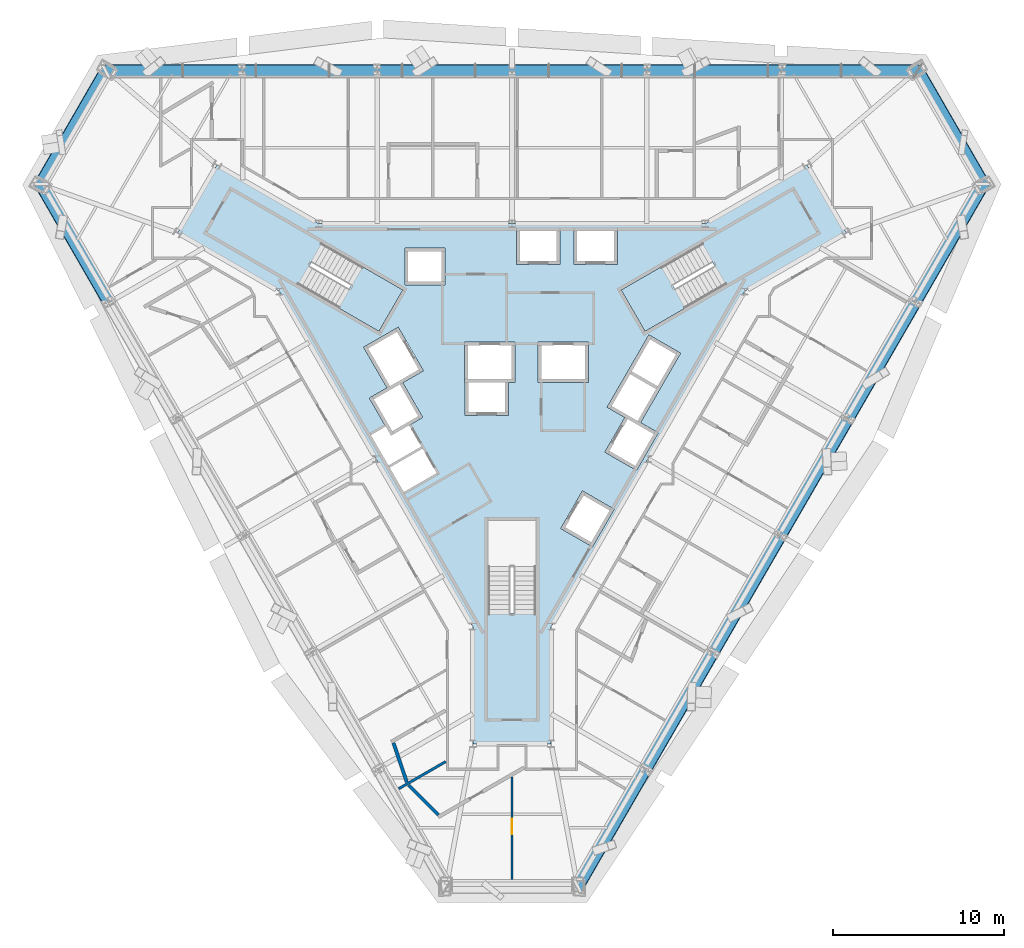
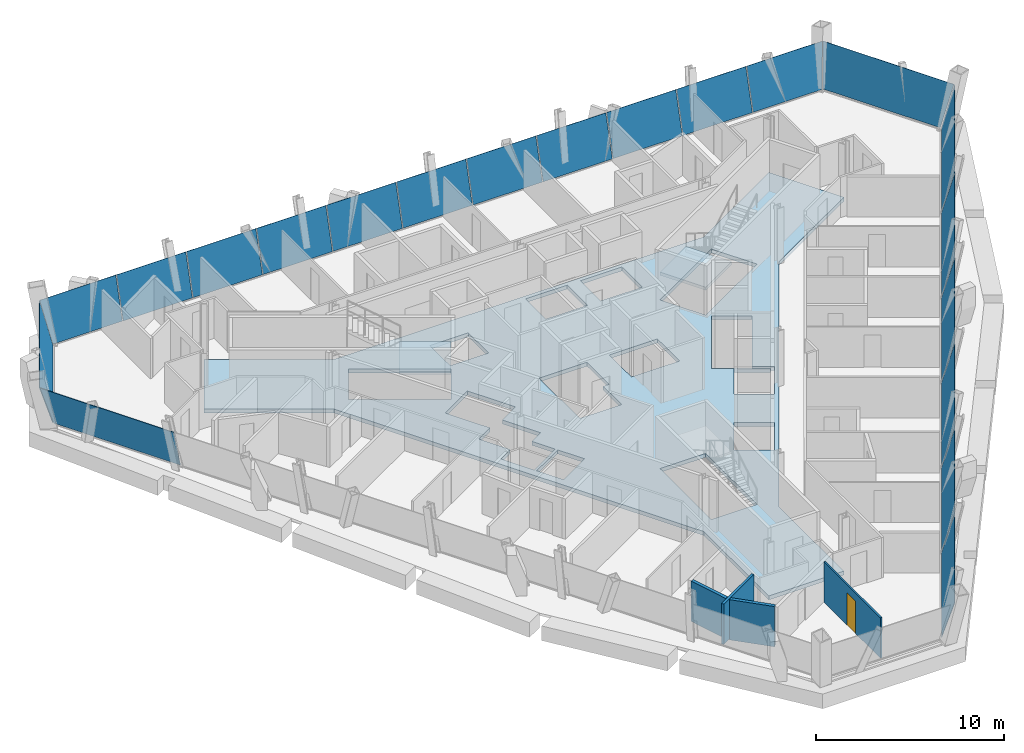
# One storey, part 6 of 13: 20 plates, 4 walls, 3 slabs, 1 door, 1 opening, 7 elements without a shape of their own.
"""IFC4 building model written with IfcOpenShell, lengths in metres."""

from ifc_helpers import new_model, si_unit, direction, frame, frame_2d, origin, place, context, subcontext, project, spatial, polyline, rectangle, outline, extrude, material, layer, layer_set, type_object, element, fill, aggregate, save


model = new_model("IFC4")

# Units and contexts
model_context = context("Model", 3, precision=1e-05, world=origin(), true_north=direction((0.0, 1.0)))
body_context = subcontext(model_context, "Body", "Model", "MODEL_VIEW")
ifc_project = project(units=[si_unit("LENGTHUNIT", "METRE"), si_unit("AREAUNIT", "SQUARE_METRE"), si_unit("VOLUMEUNIT", "CUBIC_METRE"), si_unit("PLANEANGLEUNIT", "RADIAN"), si_unit("MASSUNIT", "GRAM", prefix="KILO")], contexts=[model_context])

# Site, building, storey
site_placement = place(None, origin())
site = spatial("IfcSite", under=ifc_project, at=site_placement, CompositionType="ELEMENT")
building_placement = place(site_placement, origin())
building = spatial("IfcBuilding", under=site, at=building_placement, Name="Verrane Prism Tower", CompositionType="ELEMENT")
storey_placement = place(building_placement, frame((0.0, 0.0, 100.0)))
storey = spatial("IfcBuildingStorey", under=building, at=storey_placement, Name="L23", CompositionType="ELEMENT", Elevation=100.0)

# Slab
ifc_material_1 = material(Name="Concrete C40/50", Category="concrete")
ifc_layer_1 = layer(ifc_material_1, 0.25)
ifc_layer_set_1 = layer_set([ifc_layer_1], Name="Core floor slab 250 concrete C40/50")
slab_type_1 = type_object("IfcSlabType", Name="Core floor slab 250 concrete C40/50", PredefinedType="FLOOR", material=ifc_layer_set_1)
slab_1_placement = place(storey_placement, frame((0.0, 0.0, -0.25)))
element("IfcSlab", 1, at=slab_1_placement, inside=storey, type_object=slab_type_1, Name="Core floor L23", PredefinedType="FLOOR", context=body_context, shape_type="SweptSolid", body=[
    extrude(outline(polyline([(13.6298828125, 5.219970703125), (19.60009765625, 8.659912109375), (17.300048828125, 12.639892578125), (11.330078125, 9.199951171875), (0.0, 9.199951171875), (-11.330078125, 9.199951171875), (-17.300048828125, 12.639892578125), (-19.60009765625, 8.659912109375), (-13.6298828125, 5.219970703125), (-7.969970703125, -4.60009765625), (-2.300048828125, -14.419921875), (-2.300048828125, -21.300048828125), (2.300048828125, -21.300048828125), (2.300048828125, -14.419921875), (7.969970703125, -4.60009765625), (13.6298828125, 5.219970703125)]), holes=[polyline([(1.39990234375, -8.199951171875), (1.39990234375, -13.639892578125), (-1.39990234375, -13.639892578125), (-1.39990234375, -8.199951171875), (1.39990234375, -8.199951171875)]), polyline([(-4.4169921875, -5.419921875), (-6.343994140625, -6.531982421875), (-7.1689453125, -5.10302734375), (-5.241943359375, -3.989990234375), (-4.4169921875, -5.419921875)]), polyline([(0.1650390625, 2.25), (0.1650390625, -0.10009765625), (-0.205078125, -0.10009765625), (-0.205078125, -2.050048828125), (-2.7548828125, -2.050048828125), (-2.7548828125, -0.10009765625), (-2.784912109375, -0.10009765625), (-2.784912109375, 2.25), (0.1650390625, 2.25)]), polyline([(-12.512939453125, 5.60791015625), (-11.113037109375, 8.031982421875), (-6.40087890625, 5.31201171875), (-7.801025390625, 2.887939453125), (-12.512939453125, 5.60791015625)]), polyline([(-6.284912109375, 5.610107421875), (-6.284912109375, 7.760009765625), (-3.93505859375, 7.760009765625), (-3.93505859375, 5.610107421875), (-6.284912109375, 5.610107421875)]), polyline([(4.717041015625, -9.75), (2.85498046875, -8.675048828125), (4.1298828125, -6.466064453125), (5.991943359375, -7.541015625), (4.717041015625, -9.75)]), polyline([(8.303955078125, -3.136962890625), (5.575927734375, -1.56201171875), (8.02587890625, 2.680908203125), (9.887939453125, 1.60595703125), (7.5380859375, -2.464111328125), (8.576904296875, -3.06396484375), (7.302001953125, -5.27197265625), (5.43994140625, -4.197021484375), (6.614990234375, -2.162109375), (8.303955078125, -3.136962890625)]), polyline([(1.52490234375, -0.10009765625), (1.52490234375, 2.25), (4.47509765625, 2.25), (4.47509765625, -0.10009765625), (1.52490234375, -0.10009765625)]), polyline([(6.40087890625, 5.31201171875), (11.113037109375, 8.031982421875), (12.512939453125, 5.60791015625), (7.801025390625, 2.887939453125), (6.40087890625, 5.31201171875)]), polyline([(0.264892578125, 6.81005859375), (0.264892578125, 8.9599609375), (2.81494140625, 8.9599609375), (2.81494140625, 6.81005859375), (0.264892578125, 6.81005859375)]), polyline([(3.625, 6.81005859375), (3.625, 8.9599609375), (6.175048828125, 8.9599609375), (6.175048828125, 6.81005859375), (3.625, 6.81005859375)]), polyline([(-5.23095703125, -2.159912109375), (-6.031982421875, -2.622314453125), (-5.31689453125, -3.860107421875), (-7.243896484375, -4.972900390625), (-8.26904296875, -3.197998046875), (-7.40283203125, -2.6982421875), (-8.367919921875, -1.02587890625), (-7.3291015625, -0.426025390625), (-8.7041015625, 1.955078125), (-6.66796875, 3.1298828125), (-5.193115234375, 0.574951171875), (-6.406005859375, -0.125), (-5.23095703125, -2.159912109375)])]), origin(), (0.0, 0.0, 1.0), 0.25),
])

# Curtain wall, plates
ifc_material_2 = material(Name="Aluminium framed insulated glazing", Category="aluminium")
curtain_wall_type_1 = type_object("IfcCurtainWallType", Name="Curtain wall CW-C 4200 module", PredefinedType="NOTDEFINED", material=ifc_material_2)
curtain_wall_1_placement = place(storey_placement, origin())
curtain_wall_1 = element("IfcCurtainWall", 2, at=curtain_wall_1_placement, inside=storey, type_object=curtain_wall_type_1, Name="Glazed curtain wall north face L23", PredefinedType="NOTDEFINED")
ifc_material_3 = material(Name="Low-iron insulating glass unit", Category="glass")
ifc_layer_2 = layer(ifc_material_3, 0.02392578125)
ifc_layer_set_2 = layer_set([ifc_layer_2], Name="Glazing panel IGU 24")
plate_type_1 = type_object("IfcPlateType", Name="Glazing panel IGU 24", PredefinedType="CURTAIN_PANEL", material=ifc_layer_set_2)
plate_1_placement = place(storey_placement, frame((23.539794921875, 17.81103515625, 0.050048828125), z_axis=(0.0, -0.964666200361, 0.263475087781), x_axis=(-1.0, 0.0, 0.0)))
plate_1 = element("IfcPlate", 3, at=plate_1_placement, type_object=plate_type_1, Name="CW21.2 panel 1", PredefinedType="CURTAIN_PANEL", context=body_context, shape_type="SweptSolid", body=[
    extrude(outline(polyline([(0.0, 0.0), (4.214111328125, 0.0), (4.214111328125, -2.656612349086136), (-0.42919921875, -2.656612349086136), (0.0, 0.0)])), origin(), (0.0, 0.0, -1.0), 0.02392578125),
])
plate_2_placement = place(storey_placement, frame((19.275634765625, 17.81103515625, 0.050048828125), z_axis=(0.0, -0.964666200361, 0.263475087781), x_axis=(-1.0, 0.0, 0.0)))
plate_2 = element("IfcPlate", 4, at=plate_2_placement, type_object=plate_type_1, Name="CW21.2 panel 2", PredefinedType="CURTAIN_PANEL", context=body_context, shape_type="SweptSolid", body=[
    extrude(outline(polyline([(0.0, 0.0), (4.239013671875, 0.0), (4.239013671875, -2.656612349086136), (0.0, -2.656612349086136), (0.0, 0.0)])), origin(), (0.0, 0.0, -1.0), 0.02392578125),
])
plate_3_placement = place(storey_placement, frame((14.986572265625, 17.81103515625, 0.050048828125), z_axis=(0.0, -0.964666200361, 0.263475087781), x_axis=(-1.0, 0.0, 0.0)))
plate_3 = element("IfcPlate", 5, at=plate_3_placement, type_object=plate_type_1, Name="CW21.2 panel 3", PredefinedType="CURTAIN_PANEL", context=body_context, shape_type="SweptSolid", body=[
    extrude(outline(polyline([(0.0, 0.0), (4.239013671875, 0.0), (4.239013671875, -2.656612349086136), (0.0, -2.656612349086136), (0.0, 0.0)])), origin(), (0.0, 0.0, -1.0), 0.02392578125),
])
plate_4_placement = place(storey_placement, frame((10.697509765625, 17.81103515625, 0.050048828125), z_axis=(0.0, -0.964666200361, 0.263475087781), x_axis=(-1.0, 0.0, 0.0)))
plate_4 = element("IfcPlate", 6, at=plate_4_placement, type_object=plate_type_1, Name="CW21.2 panel 4", PredefinedType="CURTAIN_PANEL", context=body_context, shape_type="SweptSolid", body=[
    extrude(outline(polyline([(0.0, 0.0), (4.239013671875, 0.0), (4.239013671875, -2.656612349086136), (0.0, -2.656612349086136), (0.0, 0.0)])), origin(), (0.0, 0.0, -1.0), 0.02392578125),
])
plate_5_placement = place(storey_placement, frame((6.408447265625, 17.81103515625, 0.050048828125), z_axis=(0.0, -0.964666200361, 0.263475087781), x_axis=(-1.0, 0.0, 0.0)))
plate_5 = element("IfcPlate", 7, at=plate_5_placement, type_object=plate_type_1, Name="CW21.2 panel 5", PredefinedType="CURTAIN_PANEL", context=body_context, shape_type="SweptSolid", body=[
    extrude(outline(polyline([(0.0, 0.0), (4.239013671875, 0.0), (4.239013671875, -2.656612349086136), (0.0, -2.656612349086136), (0.0, 0.0)])), origin(), (0.0, 0.0, -1.0), 0.02392578125),
])
plate_6_placement = place(storey_placement, frame((2.11962890625, 17.81103515625, 0.050048828125), z_axis=(0.0, -0.964666200361, 0.263475087781), x_axis=(-1.0, 0.0, 0.0)))
plate_6 = element("IfcPlate", 8, at=plate_6_placement, type_object=plate_type_1, Name="CW21.2 panel 6", PredefinedType="CURTAIN_PANEL", context=body_context, shape_type="SweptSolid", body=[
    extrude(outline(polyline([(0.0, 0.0), (4.2392578125, 0.0), (4.2392578125, -2.656612349086136), (0.0, -2.656612349086136), (0.0, 0.0)])), origin(), (0.0, 0.0, -1.0), 0.02392578125),
])
plate_7_placement = place(storey_placement, frame((-2.16943359375, 17.81103515625, 0.050048828125), z_axis=(0.0, -0.964666200361, 0.263475087781), x_axis=(-1.0, 0.0, 0.0)))
plate_7 = element("IfcPlate", 9, at=plate_7_placement, type_object=plate_type_1, Name="CW21.2 panel 7", PredefinedType="CURTAIN_PANEL", context=body_context, shape_type="SweptSolid", body=[
    extrude(outline(polyline([(0.0, 0.0), (4.239013671875, 0.0), (4.239013671875, -2.656612349086136), (0.0, -2.656612349086136), (0.0, 0.0)])), origin(), (0.0, 0.0, -1.0), 0.02392578125),
])
plate_8_placement = place(storey_placement, frame((-6.45849609375, 17.81103515625, 0.050048828125), z_axis=(0.0, -0.964666200361, 0.263475087781), x_axis=(-1.0, 0.0, 0.0)))
plate_8 = element("IfcPlate", 10, at=plate_8_placement, type_object=plate_type_1, Name="CW21.2 panel 8", PredefinedType="CURTAIN_PANEL", context=body_context, shape_type="SweptSolid", body=[
    extrude(outline(polyline([(0.0, 0.0), (4.239013671875, 0.0), (4.239013671875, -2.656612349086136), (0.0, -2.656612349086136), (0.0, 0.0)])), origin(), (0.0, 0.0, -1.0), 0.02392578125),
])
plate_9_placement = place(storey_placement, frame((-10.74755859375, 17.81103515625, 0.050048828125), z_axis=(0.0, -0.964666200361, 0.263475087781), x_axis=(-1.0, 0.0, 0.0)))
plate_9 = element("IfcPlate", 11, at=plate_9_placement, type_object=plate_type_1, Name="CW21.2 panel 9", PredefinedType="CURTAIN_PANEL", context=body_context, shape_type="SweptSolid", body=[
    extrude(outline(polyline([(0.0, 0.0), (4.239013671875, 0.0), (4.239013671875, -2.656612349086136), (0.0, -2.656612349086136), (0.0, 0.0)])), origin(), (0.0, 0.0, -1.0), 0.02392578125),
])
plate_10_placement = place(storey_placement, frame((-15.03662109375, 17.81103515625, 0.050048828125), z_axis=(0.0, -0.964666200361, 0.263475087781), x_axis=(-1.0, 0.0, 0.0)))
plate_10 = element("IfcPlate", 12, at=plate_10_placement, type_object=plate_type_1, Name="CW21.2 panel 10", PredefinedType="CURTAIN_PANEL", context=body_context, shape_type="SweptSolid", body=[
    extrude(outline(polyline([(0.0, 0.0), (4.239013671875, 0.0), (4.239013671875, -2.656612349086136), (0.0, -2.656612349086136), (0.0, 0.0)])), origin(), (0.0, 0.0, -1.0), 0.02392578125),
])
plate_11_placement = place(storey_placement, frame((-19.32568359375, 17.81103515625, 0.050048828125), z_axis=(0.0, -0.964666200361, 0.263475087781), x_axis=(-1.0, 0.0, 0.0)))
plate_11 = element("IfcPlate", 13, at=plate_11_placement, type_object=plate_type_1, Name="CW21.2 panel 11", PredefinedType="CURTAIN_PANEL", context=body_context, shape_type="SweptSolid", body=[
    extrude(outline(polyline([(0.0, 0.0), (4.263916015625, 0.0), (4.66845703125, -2.656612349086135), (0.0, -2.656612349086135), (0.0, 0.0)])), origin(), (0.0, 0.0, -1.0), 0.02392578125),
])
aggregate(curtain_wall_1, [plate_1, plate_2, plate_3, plate_4, plate_5, plate_6, plate_7, plate_8, plate_9, plate_10, plate_11])

# Curtain wall, plate
ifc_material_4 = material(Name="Aluminium framed insulated glazing", Category="aluminium")
curtain_wall_type_2 = type_object("IfcCurtainWallType", Name="Curtain wall CW-A 8400 module", PredefinedType="NOTDEFINED", material=ifc_material_4)
curtain_wall_2_placement = place(storey_placement, origin())
curtain_wall_2 = element("IfcCurtainWall", 14, at=curtain_wall_2_placement, inside=storey, type_object=curtain_wall_type_2, Name="Glazed curtain wall north-east corner L23", PredefinedType="NOTDEFINED")
ifc_material_5 = material(Name="Low-iron insulating glass unit", Category="glass")
ifc_layer_3 = layer(ifc_material_5, 0.031982421875)
ifc_layer_set_3 = layer_set([ifc_layer_3], Name="Glazing panel IGU 32")
plate_type_2 = type_object("IfcPlateType", Name="Glazing panel IGU 32", PredefinedType="CURTAIN_PANEL", material=ifc_layer_set_3)
plate_12_placement = place(storey_placement, frame((27.1845703125, 11.58447265625, 0.070068359375), z_axis=(-0.83494639282, -0.482051310998, 0.265501515405), x_axis=(-0.499996694572, 0.86602731216, -3.14638e-06)))
plate_12 = element("IfcPlate", 15, at=plate_12_placement, type_object=plate_type_2, Name="CW21.1 panel 1", PredefinedType="CURTAIN_PANEL", context=body_context, shape_type="SweptSolid", body=[
    extrude(outline(polyline([(0.0, 0.0), (7.189846654517289, 1.1102230246251565e-16), (7.593746315531469, -2.6374037559740677), (-0.4391867612275206, -2.637354076352238), (0.0, 0.0)])), origin(), (0.0, 0.0, -1.0), 0.031982421875),
])
aggregate(curtain_wall_2, [plate_12])

curtain_wall_3_placement = place(storey_placement, origin())
curtain_wall_3 = element("IfcCurtainWall", 16, at=curtain_wall_3_placement, inside=storey, type_object=curtain_wall_type_2, Name="Glazed curtain wall north-west corner L23", PredefinedType="NOTDEFINED")
plate_13_placement = place(storey_placement, frame((-23.624755859375, 17.75048828125, 0.070068359375), z_axis=(0.83495024378, -0.482029145367, 0.265529646986), x_axis=(-0.499976227155, -0.866039128602, -3.119306e-06)))
plate_13 = element("IfcPlate", 17, at=plate_13_placement, type_object=plate_type_2, Name="CW21.3 panel 1", PredefinedType="CURTAIN_PANEL", context=body_context, shape_type="SweptSolid", body=[
    extrude(outline(polyline([(0.0, 0.0), (7.189936021394109, 0.0), (7.593994306950632, -2.637424737505123), (-0.43893876981881114, -2.6373754846807103), (0.0, 0.0)])), origin(), (0.0, 0.0, -1.0), 0.031982421875),
])
aggregate(curtain_wall_3, [plate_13])

curtain_wall_4_placement = place(storey_placement, origin())
curtain_wall_4 = element("IfcCurtainWall", 18, at=curtain_wall_4_placement, inside=storey, type_object=curtain_wall_type_2, Name="Glazed curtain wall south-west face L23", PredefinedType="NOTDEFINED")
plate_14_placement = place(storey_placement, frame((-27.1845703125, 11.463134765625, 0.070068359375), z_axis=(0.834957811545, 0.482071262137, 0.265429371323), x_axis=(0.500006422609, -0.866021695658, -3.63625e-07)))
plate_14 = element("IfcPlate", 19, at=plate_14_placement, type_object=plate_type_2, Name="CW21.4 panel 1", PredefinedType="CURTAIN_PANEL", context=body_context, shape_type="SweptSolid", body=[
    extrude(outline(polyline([(0.0, 0.0), (7.758183377278029, -1.1102230246251565e-16), (7.758270139260014, -2.637327560462486), (-0.43939898115235565, -2.6373215426555383), (0.0, 0.0)])), origin(), (0.0, 0.0, -1.0), 0.031982421875),
])
aggregate(curtain_wall_4, [plate_14])

# Curtain wall, plates
curtain_wall_5_placement = place(storey_placement, origin())
curtain_wall_5 = element("IfcCurtainWall", 20, at=curtain_wall_5_placement, inside=storey, type_object=curtain_wall_type_2, Name="Glazed curtain wall south-east face L23", PredefinedType="NOTDEFINED")
plate_15_placement = place(storey_placement, frame((3.664794921875, -29.274169921875, 0.070068359375), z_axis=(-0.83496396569, 0.48206006302, 0.265430351768), x_axis=(0.499995755326, 0.866027854426, 3.754709e-06)))
plate_15 = element("IfcPlate", 21, at=plate_15_placement, type_object=plate_type_2, Name="CW21.6 panel 1", PredefinedType="CURTAIN_PANEL", context=body_context, shape_type="SweptSolid", body=[
    extrude(outline(polyline([(0.0, 0.0), (7.758183376509096, -1.1102230246251565e-16), (7.758308047010919, -2.6372951588156166), (-0.43923900359201745, -2.6373572968274215), (0.0, 0.0)])), origin(), (0.0, 0.0, -1.0), 0.031982421875),
])
plate_16_placement = place(storey_placement, frame((7.5791015625, -22.49462890625, 0.070068359375), z_axis=(-0.834972858607, 0.482054905076, 0.265411744056), x_axis=(0.499987331538, 0.866032717799, 2.004095e-06)))
plate_16 = element("IfcPlate", 22, at=plate_16_placement, type_object=plate_type_2, Name="CW21.6 panel 2", PredefinedType="CURTAIN_PANEL", context=body_context, shape_type="SweptSolid", body=[
    extrude(outline(polyline([(0.0, 0.0), (7.793067935099807, 0.0), (7.793181346293291, -2.637295160950753), (-9.802257551058017e-05, -2.6373275594329395), (0.0, 0.0)])), origin(), (0.0, 0.0, -1.0), 0.031982421875),
])
plate_17_placement = place(storey_placement, frame((11.5107421875, -15.68505859375, 0.070068359375), z_axis=(-0.834972858607, 0.482054905076, 0.265411744056), x_axis=(0.499986375975, 0.866033269474, -2.00404e-06)))
plate_17 = element("IfcPlate", 23, at=plate_17_placement, type_object=plate_type_2, Name="CW21.6 panel 3", PredefinedType="CURTAIN_PANEL", context=body_context, shape_type="SweptSolid", body=[
    extrude(outline(polyline([(0.0, 0.0), (7.793279368936145, 1.1102230246251565e-16), (7.7931703823741145, -2.6373275590026464), (0.00010244734164964552, -2.63729516139944), (0.0, 0.0)])), origin(), (0.0, 0.0, -1.0), 0.031982421875),
])
plate_18_placement = place(storey_placement, frame((15.442138671875, -8.875244140625, 0.070068359375), z_axis=(-0.83495978007, 0.482077557912, 0.265411743944), x_axis=(0.500009871451, 0.866019704423, -2.004103e-06)))
plate_18 = element("IfcPlate", 24, at=plate_18_placement, type_object=plate_type_2, Name="CW21.6 panel 4", PredefinedType="CURTAIN_PANEL", context=body_context, shape_type="SweptSolid", body=[
    extrude(outline(polyline([(0.0, 0.0), (7.793401437251344, 0.0), (7.793311442606809, -2.637327559719036), (0.00012143594736545225, -2.6372951605933945), (0.0, 0.0)])), origin(), (0.0, 0.0, -1.0), 0.031982421875),
])
plate_19_placement = place(storey_placement, frame((19.373779296875, -2.0654296875, 0.070068359375), z_axis=(-0.834958426669, 0.482068057445, 0.26543325663), x_axis=(0.500003566721, 0.866023344527, 0.0)))
plate_19 = element("IfcPlate", 25, at=plate_19_placement, type_object=plate_type_2, Name="CW21.6 panel 5", PredefinedType="CURTAIN_PANEL", context=body_context, shape_type="SweptSolid", body=[
    extrude(outline(polyline([(0.0, 0.0), (7.79340143747352, -2.220446049250313e-16), (7.793311442384637, -2.637327560375559), (-8.999508888374308e-05, -2.637327560375559), (0.0, 0.0)])), origin(), (0.0, 0.0, -1.0), 0.031982421875),
])
plate_20_placement = place(storey_placement, frame((23.305419921875, 4.744384765625, 0.070068359375), z_axis=(-0.834951186936, 0.482070691964, 0.265451244833), x_axis=(0.500008469825, 0.866020513672, -1.668564e-06)))
plate_20 = element("IfcPlate", 26, at=plate_20_placement, type_object=plate_type_2, Name="CW21.6 panel 6", PredefinedType="CURTAIN_PANEL", context=body_context, shape_type="SweptSolid", body=[
    extrude(outline(polyline([(0.0, 0.0), (7.828074563445972, 1.1102230246251565e-16), (8.232585475183217, -2.6373553554895253), (-9.027444538306797e-05, -2.637327559906991), (0.0, 0.0)])), origin(), (0.0, 0.0, -1.0), 0.031982421875),
])
aggregate(curtain_wall_5, [plate_15, plate_16, plate_17, plate_18, plate_19, plate_20])

# Stair, slab
ifc_material_6 = material(Name="Concrete C40/50", Category="concrete")
stair_type = type_object("IfcStairType", Name="Exit stair 1300 dog-leg precast concrete C40/50", PredefinedType="HALF_TURN_STAIR", material=ifc_material_6)
stair_1_placement = place(storey_placement, origin())
stair_1 = element("IfcStair", 27, at=stair_1_placement, inside=storey, type_object=stair_type, Name="Stair 1 L23", PredefinedType="HALF_TURN_STAIR")
ifc_material_7 = material(Name="Concrete C40/50", Category="concrete")
ifc_layer_4 = layer(ifc_material_7, 0.199951171875)
ifc_layer_set_4 = layer_set([ifc_layer_4], Name="Stair landing 200 precast concrete C40/50")
slab_type_2 = type_object("IfcSlabType", Name="Stair landing 200 precast concrete C40/50", PredefinedType="LANDING", material=ifc_layer_set_4)
slab_2_placement = place(storey_placement, frame((0.0, 0.0, 1.60009765625)))
slab_2 = element("IfcSlab", 28, at=slab_2_placement, type_object=slab_type_2, Name="Stair 1 landing 1", PredefinedType="LANDING", context=body_context, shape_type="SweptSolid", body=[
    extrude(outline(polyline([(8.791748046875, 6.6923828125), (6.4013671875, 5.3125), (7.801513671875, 2.887451171875), (10.191650390625, 4.267578125), (8.791748046875, 6.6923828125)])), origin(), (0.0, 0.0, 1.0), 0.199951171875),
])
aggregate(stair_1, [slab_2])

stair_2_placement = place(storey_placement, origin())
stair_2 = element("IfcStair", 29, at=stair_2_placement, inside=storey, type_object=stair_type, Name="Stair 2 L23", PredefinedType="HALF_TURN_STAIR")
slab_3_placement = place(storey_placement, frame((0.0, 0.0, 1.60009765625)))
slab_3 = element("IfcSlab", 30, at=slab_3_placement, type_object=slab_type_2, Name="Stair 2 landing 1", PredefinedType="LANDING", context=body_context, shape_type="SweptSolid", body=[
    extrude(outline(polyline([(-10.191650390625, 4.267578125), (-7.801513671875, 2.887451171875), (-6.4013671875, 5.3125), (-8.791748046875, 6.6923828125), (-10.191650390625, 4.267578125)])), origin(), (0.0, 0.0, 1.0), 0.199951171875),
])
aggregate(stair_2, [slab_3])

# Wall, opening, door
ifc_material_8 = material(Name="Gypsum board partition", Category="other")
ifc_layer_5 = layer(ifc_material_8, 0.10009765625)
ifc_layer_set_5 = layer_set([ifc_layer_5], Name="PW-100 room partition")
wall_type_1 = type_object("IfcWallType", Name="PW-100 room partition", PredefinedType="PARTITIONING", material=ifc_layer_set_5)
wall_1_placement = place(storey_placement, frame((0.0, -29.239013671875, 0.0), z_axis=(0.0, 0.0, 1.0), x_axis=(0.0, 1.0, 0.0)))
wall_1 = element("IfcWall", 31, at=wall_1_placement, inside=storey, type_object=wall_type_1, Name="Room partition 052", PredefinedType="PARTITIONING", context=body_context, shape_type="SweptSolid", body=[
    extrude(rectangle(XDim=5.99658203125, YDim=0.10009765625, at=frame_2d((2.998291015625, 0.0))), origin(), (0.0, 0.0, 1.0), 2.613037109375),
])
opening_placement = place(wall_1_placement, frame((2.654052734375, 0.0, 0.0)))
opening = element("IfcOpeningElement", 32, at=opening_placement, cuts=wall_1, Name="Opening D21039", PredefinedType="OPENING", context=body_context, shape_type="SweptSolid", body=[
    extrude(rectangle(XDim=0.89990234375, YDim=2.10009765625, at=frame_2d((0.449951171875, 1.050048828125))), frame((0.0, 0.06005859375, 0.0), z_axis=(0.0, -1.0, 0.0), x_axis=(1.0, 0.0, 0.0)), (0.0, 0.0, 1.0), 0.1201171875),
])
ifc_material_9 = material(Name="Timber veneered door leaf", Category="wood")
door_type = type_object("IfcDoorType", Name="DR-900x2100 single leaf inner", OperationType="NOTDEFINED", PredefinedType="DOOR", material=ifc_material_9)
door_placement = place(opening_placement, origin())
door = element("IfcDoor", 33, at=door_placement, inside=storey, type_object=door_type, Name="Suite Living Room door", OperationType="SINGLE_SWING_LEFT", OverallHeight=2.10009765625, OverallWidth=0.89990234375, PredefinedType="DOOR", context=body_context, shape_type="SweptSolid", body=[
    extrude(rectangle(XDim=0.89990234375, YDim=2.10009765625, at=frame_2d((0.449951171875, 1.050048828125))), frame((0.0, 0.02490234375, 0.0), z_axis=(0.0, -1.0, 0.0), x_axis=(1.0, 0.0, 0.0)), (0.0, 0.0, 1.0), 0.050048828125),
])
fill(opening, door)

# Walls
ifc_material_10 = material(Name="Gypsum board partition", Category="other")
ifc_layer_6 = layer(ifc_material_10, 0.14990234375)
ifc_layer_set_6 = layer_set([ifc_layer_6], Name="PW-150 demising wall 1 h")
wall_type_2 = type_object("IfcWallType", Name="PW-150 demising wall 1 h", PredefinedType="PARTITIONING", material=ifc_layer_set_6)
wall_2_placement = place(storey_placement, frame((-6.639892578125, -23.928955078125, 0.0), z_axis=(0.0, 0.0, 1.0), x_axis=(0.866065365018, 0.499930778725, 0.0)))
element("IfcWall", 34, at=wall_2_placement, inside=storey, type_object=wall_type_2, Name="Demising wall 042", PredefinedType="PARTITIONING", context=body_context, shape_type="SweptSolid", body=[
    extrude(rectangle(XDim=3.1787109375, YDim=0.14990234375, at=frame_2d((1.58935546875, 0.0))), origin(), (0.0, 0.0, 1.0), 2.613037109375),
])
ifc_material_11 = material(Name="Gypsum board partition", Category="other")
ifc_layer_7 = layer(ifc_material_11, 0.199951171875)
ifc_layer_set_7 = layer_set([ifc_layer_7], Name="PW-200 plumbing wall")
wall_type_3 = type_object("IfcWallType", Name="PW-200 plumbing wall", PredefinedType="PARTITIONING", material=ifc_layer_set_7)
wall_3_placement = place(storey_placement, frame((-6.948486328125, -21.24169921875, 0.0), z_axis=(0.0, 0.0, 1.0), x_axis=(0.321098754357, -0.947045716927, 0.0)))
element("IfcWall", 35, at=wall_3_placement, inside=storey, type_object=wall_type_3, Name="Plumbing wall 040", PredefinedType="PARTITIONING", context=body_context, shape_type="SweptSolid", body=[
    extrude(rectangle(XDim=2.433837890625, YDim=0.199951171875, at=frame_2d((1.216796875, 0.0))), origin(), (0.0, 0.0, 1.0), 2.613037109375),
])
wall_4_placement = place(storey_placement, frame((-6.062255859375, -23.7119140625, 0.0), z_axis=(0.0, 0.0, 1.0), x_axis=(0.706958057502, -0.707255473597, 0.0)))
element("IfcWall", 36, at=wall_4_placement, inside=storey, type_object=wall_type_3, Name="Plumbing wall 043", PredefinedType="PARTITIONING", context=body_context, shape_type="SweptSolid", body=[
    extrude(rectangle(XDim=2.462646484375, YDim=0.199951171875, at=frame_2d((1.2314453125, 0.0))), origin(), (0.0, 0.0, 1.0), 2.613037109375),
])

save(model, "model.ifc")
